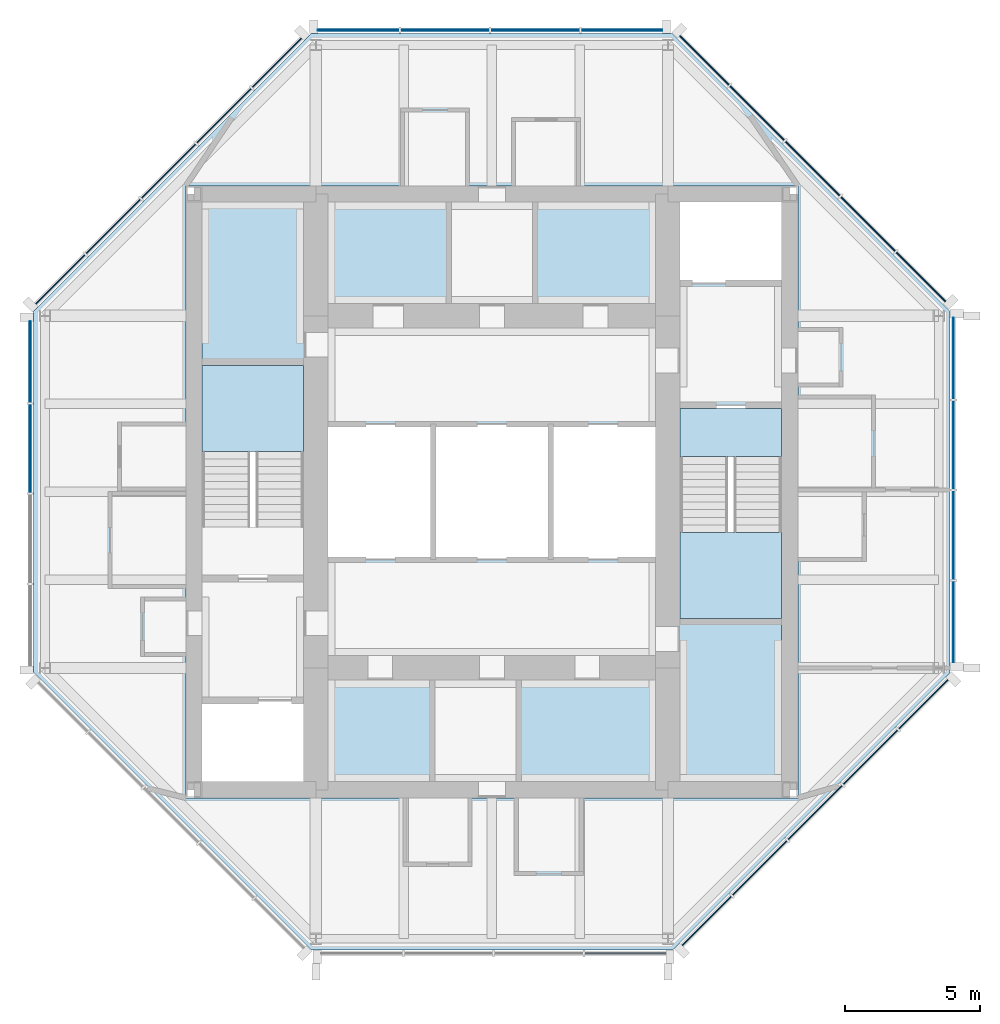
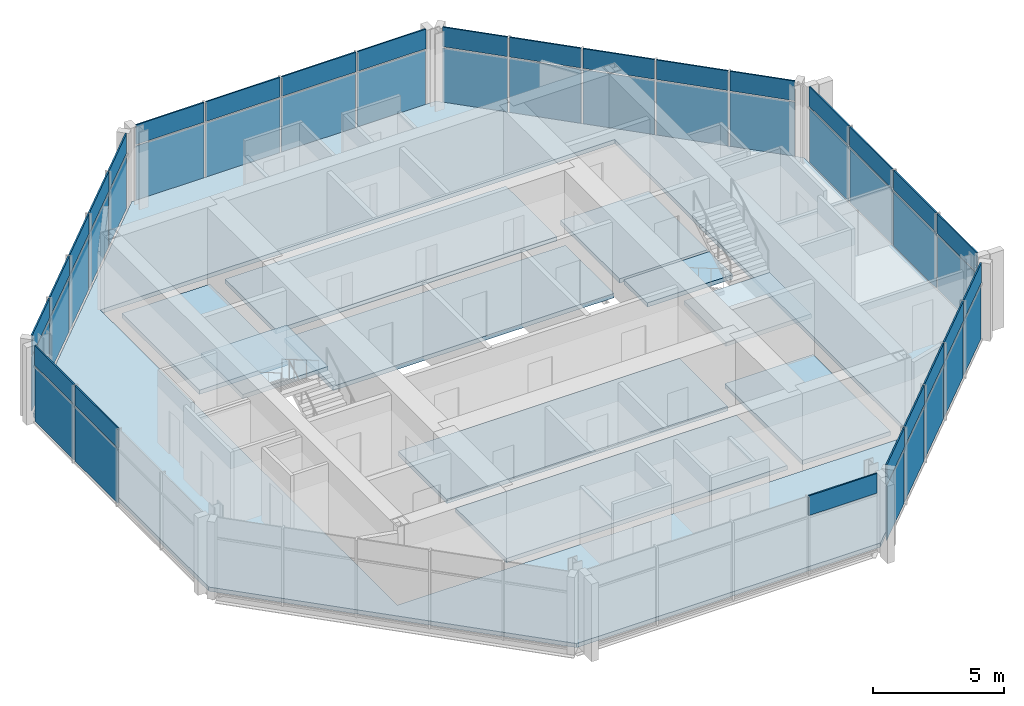
# One storey, part 4 of 8: 51 plates, 11 slabs, 9 elements without a shape of their own.
"""IFC4 building model written with IfcOpenShell, lengths in metres."""

from ifc_helpers import new_model, si_unit, direction, frame, origin, origin_2d, place, context, subcontext, project, spatial, polyline, rectangle, outline, extrude, material, layer, layer_set, type_object, element, aggregate, save


model = new_model("IFC4")

# Units and contexts
model_context = context("Model", 3, precision=1e-05, world=origin(), true_north=direction((0.0, 1.0)))
body_context = subcontext(model_context, "Body", "Model", "MODEL_VIEW")
ifc_project = project(units=[si_unit("LENGTHUNIT", "METRE"), si_unit("AREAUNIT", "SQUARE_METRE"), si_unit("VOLUMEUNIT", "CUBIC_METRE"), si_unit("PLANEANGLEUNIT", "RADIAN"), si_unit("MASSUNIT", "GRAM", prefix="KILO")], contexts=[model_context])

# Site, building, storey
site_placement = place(None, origin())
site = spatial("IfcSite", under=ifc_project, at=site_placement, CompositionType="ELEMENT")
building_placement = place(site_placement, origin())
building = spatial("IfcBuilding", under=site, at=building_placement, Name="Trevanion Tower", CompositionType="ELEMENT")
storey_placement = place(building_placement, frame((0.0, 0.0, 274.0)))
storey = spatial("IfcBuildingStorey", under=building, at=storey_placement, Name="L67", CompositionType="ELEMENT", Elevation=274.0)

# Curtain wall, plates
ifc_material_1 = material(Name="Aluminium and glass", Category="aluminium")
curtain_wall_type = type_object("IfcCurtainWallType", Name="CW4 curtain wall", PredefinedType="USERDEFINED", material=ifc_material_1)
curtain_wall_1_placement = place(storey_placement, origin())
curtain_wall_1 = element("IfcCurtainWall", 1, at=curtain_wall_1_placement, inside=storey, type_object=curtain_wall_type, Name="CW4 L67 0", ObjectType="UNITISED CURTAIN WALL", PredefinedType="USERDEFINED")
ifc_material_2 = material(Name="Aluminium spandrel panel", Category="aluminium")
ifc_layer_1 = layer(ifc_material_2, 0.06005859375)
ifc_layer_set_1 = layer_set([ifc_layer_1], Name="CW4 spandrel panel")
plate_type_1 = type_object("IfcPlateType", Name="CW4 spandrel panel", PredefinedType="CURTAIN_PANEL", material=ifc_layer_set_1)
plate_1_placement = place(storey_placement, frame((17.050048828125, -4.80078125, 2.49755859375), z_axis=(0.0, 0.0, 1.0), x_axis=(0.0, 1.0, 0.0)))
plate_1 = element("IfcPlate", 2, at=plate_1_placement, type_object=plate_type_1, Name="CW4 panel 1.2", PredefinedType="CURTAIN_PANEL", context=body_context, shape_type="SweptSolid", body=[
    extrude(rectangle(XDim=2.993896484375, YDim=0.06005859375, at=origin_2d()), origin(), (0.0, 0.0, 1.0), 0.91259765625),
])
plate_2_placement = place(storey_placement, frame((17.050048828125, -1.6005859375, 2.49755859375), z_axis=(0.0, 0.0, 1.0), x_axis=(0.0, 1.0, 0.0)))
plate_2 = element("IfcPlate", 3, at=plate_2_placement, type_object=plate_type_1, Name="CW4 panel 2.2", PredefinedType="CURTAIN_PANEL", context=body_context, shape_type="SweptSolid", body=[
    extrude(rectangle(XDim=3.25634765625, YDim=0.06005859375, at=origin_2d()), origin(), (0.0, 0.0, 1.0), 0.91259765625),
])
plate_3_placement = place(storey_placement, frame((17.050048828125, 1.730712890625, 2.49755859375), z_axis=(0.0, 0.0, 1.0), x_axis=(0.0, 1.0, 0.0)))
plate_3 = element("IfcPlate", 4, at=plate_3_placement, type_object=plate_type_1, Name="CW4 panel 3.2", PredefinedType="CURTAIN_PANEL", context=body_context, shape_type="SweptSolid", body=[
    extrude(rectangle(XDim=3.25634765625, YDim=0.06005859375, at=origin_2d()), origin(), (0.0, 0.0, 1.0), 0.91259765625),
])
plate_4_placement = place(storey_placement, frame((17.050048828125, 4.930908203125, 2.49755859375), z_axis=(0.0, 0.0, 1.0), x_axis=(0.0, 1.0, 0.0)))
plate_4 = element("IfcPlate", 5, at=plate_4_placement, type_object=plate_type_1, Name="CW4 panel 4.2", PredefinedType="CURTAIN_PANEL", context=body_context, shape_type="SweptSolid", body=[
    extrude(rectangle(XDim=2.993896484375, YDim=0.06005859375, at=origin_2d()), origin(), (0.0, 0.0, 1.0), 0.91259765625),
])

curtain_wall_2_placement = place(storey_placement, origin())
curtain_wall_2 = element("IfcCurtainWall", 6, at=curtain_wall_2_placement, inside=storey, type_object=curtain_wall_type, Name="CW4 L67 1", ObjectType="UNITISED CURTAIN WALL", PredefinedType="USERDEFINED")
plate_5_placement = place(storey_placement, frame((15.84228515625, 7.935546875, 2.49755859375), z_axis=(0.0, 0.0, 1.0), x_axis=(-0.707106781187, 0.707106781187, 0.0)))
plate_5 = element("IfcPlate", 7, at=plate_5_placement, type_object=plate_type_1, Name="CW4 panel 1.2", PredefinedType="CURTAIN_PANEL", context=body_context, shape_type="SweptSolid", body=[
    extrude(rectangle(XDim=2.55615234375, YDim=0.06005859375, at=origin_2d()), origin(), (0.0, 0.0, 1.0), 0.91259765625),
])
plate_6_placement = place(storey_placement, frame((13.888916015625, 9.888916015625, 2.49755859375), z_axis=(0.0, 0.0, 1.0), x_axis=(-0.707106781187, 0.707106781187, 0.0)))
plate_6 = element("IfcPlate", 8, at=plate_6_placement, type_object=plate_type_1, Name="CW4 panel 2.2", PredefinedType="CURTAIN_PANEL", context=body_context, shape_type="SweptSolid", body=[
    extrude(rectangle(XDim=2.818603515625, YDim=0.06005859375, at=origin_2d()), origin(), (0.0, 0.0, 1.0), 0.91259765625),
])
plate_7_placement = place(storey_placement, frame((11.843017578125, 11.934814453125, 2.49755859375), z_axis=(0.0, 0.0, 1.0), x_axis=(-0.707106781187, 0.707106781187, 0.0)))
plate_7 = element("IfcPlate", 9, at=plate_7_placement, type_object=plate_type_1, Name="CW4 panel 3.2", PredefinedType="CURTAIN_PANEL", context=body_context, shape_type="SweptSolid", body=[
    extrude(rectangle(XDim=2.818603515625, YDim=0.06005859375, at=origin_2d()), origin(), (0.0, 0.0, 1.0), 0.91259765625),
])
plate_8_placement = place(storey_placement, frame((9.796875, 13.98095703125, 2.49755859375), z_axis=(0.0, 0.0, 1.0), x_axis=(-0.707106781187, 0.707106781187, 0.0)))
plate_8 = element("IfcPlate", 10, at=plate_8_placement, type_object=plate_type_1, Name="CW4 panel 4.2", PredefinedType="CURTAIN_PANEL", context=body_context, shape_type="SweptSolid", body=[
    extrude(rectangle(XDim=2.818603515625, YDim=0.06005859375, at=origin_2d()), origin(), (0.0, 0.0, 1.0), 0.91259765625),
])
plate_9_placement = place(storey_placement, frame((7.84375, 15.93408203125, 2.49755859375), z_axis=(0.0, 0.0, 1.0), x_axis=(-0.707106781187, 0.707106781187, 0.0)))
plate_9 = element("IfcPlate", 11, at=plate_9_placement, type_object=plate_type_1, Name="CW4 panel 5.2", PredefinedType="CURTAIN_PANEL", context=body_context, shape_type="SweptSolid", body=[
    extrude(rectangle(XDim=2.55615234375, YDim=0.06005859375, at=origin_2d()), origin(), (0.0, 0.0, 1.0), 0.91259765625),
])

curtain_wall_3_placement = place(storey_placement, origin())
curtain_wall_3 = element("IfcCurtainWall", 12, at=curtain_wall_3_placement, inside=storey, type_object=curtain_wall_type, Name="CW4 L67 2", ObjectType="UNITISED CURTAIN WALL", PredefinedType="USERDEFINED")
plate_10_placement = place(storey_placement, frame((4.80078125, 17.050048828125, 2.49755859375), z_axis=(0.0, 0.0, 1.0), x_axis=(-1.0, 0.0, 0.0)))
plate_10 = element("IfcPlate", 13, at=plate_10_placement, type_object=plate_type_1, Name="CW4 panel 1.2", PredefinedType="CURTAIN_PANEL", context=body_context, shape_type="SweptSolid", body=[
    extrude(rectangle(XDim=2.993896484375, YDim=0.06005859375, at=origin_2d()), origin(), (0.0, 0.0, 1.0), 0.91259765625),
])
plate_11_placement = place(storey_placement, frame((1.6005859375, 17.050048828125, 2.49755859375), z_axis=(0.0, 0.0, 1.0), x_axis=(-1.0, 0.0, 0.0)))
plate_11 = element("IfcPlate", 14, at=plate_11_placement, type_object=plate_type_1, Name="CW4 panel 2.2", PredefinedType="CURTAIN_PANEL", context=body_context, shape_type="SweptSolid", body=[
    extrude(rectangle(XDim=3.25634765625, YDim=0.06005859375, at=origin_2d()), origin(), (0.0, 0.0, 1.0), 0.91259765625),
])
plate_12_placement = place(storey_placement, frame((-1.730712890625, 17.050048828125, 2.49755859375), z_axis=(0.0, 0.0, 1.0), x_axis=(-1.0, 0.0, 0.0)))
plate_12 = element("IfcPlate", 15, at=plate_12_placement, type_object=plate_type_1, Name="CW4 panel 3.2", PredefinedType="CURTAIN_PANEL", context=body_context, shape_type="SweptSolid", body=[
    extrude(rectangle(XDim=3.25634765625, YDim=0.06005859375, at=origin_2d()), origin(), (0.0, 0.0, 1.0), 0.91259765625),
])
plate_13_placement = place(storey_placement, frame((-4.930908203125, 17.050048828125, 2.49755859375), z_axis=(0.0, 0.0, 1.0), x_axis=(-1.0, 0.0, 0.0)))
plate_13 = element("IfcPlate", 16, at=plate_13_placement, type_object=plate_type_1, Name="CW4 panel 4.2", PredefinedType="CURTAIN_PANEL", context=body_context, shape_type="SweptSolid", body=[
    extrude(rectangle(XDim=2.993896484375, YDim=0.06005859375, at=origin_2d()), origin(), (0.0, 0.0, 1.0), 0.91259765625),
])

curtain_wall_4_placement = place(storey_placement, origin())
curtain_wall_4 = element("IfcCurtainWall", 17, at=curtain_wall_4_placement, inside=storey, type_object=curtain_wall_type, Name="CW4 L67 3", ObjectType="UNITISED CURTAIN WALL", PredefinedType="USERDEFINED")
plate_14_placement = place(storey_placement, frame((-7.935546875, 15.84228515625, 2.49755859375), z_axis=(0.0, 0.0, 1.0), x_axis=(-0.707106781187, -0.707106781187, 0.0)))
plate_14 = element("IfcPlate", 18, at=plate_14_placement, type_object=plate_type_1, Name="CW4 panel 1.2", PredefinedType="CURTAIN_PANEL", context=body_context, shape_type="SweptSolid", body=[
    extrude(rectangle(XDim=2.55615234375, YDim=0.06005859375, at=origin_2d()), origin(), (0.0, 0.0, 1.0), 0.91259765625),
])
plate_15_placement = place(storey_placement, frame((-9.888916015625, 13.888916015625, 2.49755859375), z_axis=(0.0, 0.0, 1.0), x_axis=(-0.707106781187, -0.707106781187, 0.0)))
plate_15 = element("IfcPlate", 19, at=plate_15_placement, type_object=plate_type_1, Name="CW4 panel 2.2", PredefinedType="CURTAIN_PANEL", context=body_context, shape_type="SweptSolid", body=[
    extrude(rectangle(XDim=2.818603515625, YDim=0.06005859375, at=origin_2d()), origin(), (0.0, 0.0, 1.0), 0.91259765625),
])
plate_16_placement = place(storey_placement, frame((-11.934814453125, 11.843017578125, 2.49755859375), z_axis=(0.0, 0.0, 1.0), x_axis=(-0.707106781187, -0.707106781187, 0.0)))
plate_16 = element("IfcPlate", 20, at=plate_16_placement, type_object=plate_type_1, Name="CW4 panel 3.2", PredefinedType="CURTAIN_PANEL", context=body_context, shape_type="SweptSolid", body=[
    extrude(rectangle(XDim=2.818603515625, YDim=0.06005859375, at=origin_2d()), origin(), (0.0, 0.0, 1.0), 0.91259765625),
])
plate_17_placement = place(storey_placement, frame((-13.98095703125, 9.796875, 2.49755859375), z_axis=(0.0, 0.0, 1.0), x_axis=(-0.707106781187, -0.707106781187, 0.0)))
plate_17 = element("IfcPlate", 21, at=plate_17_placement, type_object=plate_type_1, Name="CW4 panel 4.2", PredefinedType="CURTAIN_PANEL", context=body_context, shape_type="SweptSolid", body=[
    extrude(rectangle(XDim=2.818603515625, YDim=0.06005859375, at=origin_2d()), origin(), (0.0, 0.0, 1.0), 0.91259765625),
])
plate_18_placement = place(storey_placement, frame((-15.93408203125, 7.84375, 2.49755859375), z_axis=(0.0, 0.0, 1.0), x_axis=(-0.707106781187, -0.707106781187, 0.0)))
plate_18 = element("IfcPlate", 22, at=plate_18_placement, type_object=plate_type_1, Name="CW4 panel 5.2", PredefinedType="CURTAIN_PANEL", context=body_context, shape_type="SweptSolid", body=[
    extrude(rectangle(XDim=2.55615234375, YDim=0.06005859375, at=origin_2d()), origin(), (0.0, 0.0, 1.0), 0.91259765625),
])

curtain_wall_5_placement = place(storey_placement, origin())
curtain_wall_5 = element("IfcCurtainWall", 23, at=curtain_wall_5_placement, inside=storey, type_object=curtain_wall_type, Name="CW4 L67 4", ObjectType="UNITISED CURTAIN WALL", PredefinedType="USERDEFINED")
plate_19_placement = place(storey_placement, frame((-17.050048828125, 4.80078125, 2.49755859375), z_axis=(0.0, 0.0, 1.0), x_axis=(0.0, -1.0, 0.0)))
plate_19 = element("IfcPlate", 24, at=plate_19_placement, type_object=plate_type_1, Name="CW4 panel 1.2", PredefinedType="CURTAIN_PANEL", context=body_context, shape_type="SweptSolid", body=[
    extrude(rectangle(XDim=2.993896484375, YDim=0.06005859375, at=origin_2d()), origin(), (0.0, 0.0, 1.0), 0.91259765625),
])
plate_20_placement = place(storey_placement, frame((-17.050048828125, 1.6005859375, 2.49755859375), z_axis=(0.0, 0.0, 1.0), x_axis=(0.0, -1.0, 0.0)))
plate_20 = element("IfcPlate", 25, at=plate_20_placement, type_object=plate_type_1, Name="CW4 panel 2.2", PredefinedType="CURTAIN_PANEL", context=body_context, shape_type="SweptSolid", body=[
    extrude(rectangle(XDim=3.25634765625, YDim=0.06005859375, at=origin_2d()), origin(), (0.0, 0.0, 1.0), 0.91259765625),
])

# Curtain wall, plate
curtain_wall_6_placement = place(storey_placement, origin())
curtain_wall_6 = element("IfcCurtainWall", 26, at=curtain_wall_6_placement, inside=storey, type_object=curtain_wall_type, Name="CW4 L67 6", ObjectType="UNITISED CURTAIN WALL", PredefinedType="USERDEFINED")
plate_21_placement = place(storey_placement, frame((4.930908203125, -17.050048828125, 2.49755859375), z_axis=(0.0, 0.0, 1.0), x_axis=(1.0, 0.0, 0.0)))
plate_21 = element("IfcPlate", 27, at=plate_21_placement, type_object=plate_type_1, Name="CW4 panel 4.2", PredefinedType="CURTAIN_PANEL", context=body_context, shape_type="SweptSolid", body=[
    extrude(rectangle(XDim=2.993896484375, YDim=0.06005859375, at=origin_2d()), origin(), (0.0, 0.0, 1.0), 0.91259765625),
])
aggregate(curtain_wall_6, [plate_21])

# Curtain wall, plates
curtain_wall_7_placement = place(storey_placement, origin())
curtain_wall_7 = element("IfcCurtainWall", 28, at=curtain_wall_7_placement, inside=storey, type_object=curtain_wall_type, Name="CW4 L67 7", ObjectType="UNITISED CURTAIN WALL", PredefinedType="USERDEFINED")
plate_22_placement = place(storey_placement, frame((7.935546875, -15.84228515625, 2.49755859375), z_axis=(0.0, 0.0, 1.0), x_axis=(0.707106781187, 0.707106781187, 0.0)))
plate_22 = element("IfcPlate", 29, at=plate_22_placement, type_object=plate_type_1, Name="CW4 panel 1.2", PredefinedType="CURTAIN_PANEL", context=body_context, shape_type="SweptSolid", body=[
    extrude(rectangle(XDim=2.55615234375, YDim=0.06005859375, at=origin_2d()), origin(), (0.0, 0.0, 1.0), 0.91259765625),
])
plate_23_placement = place(storey_placement, frame((9.888916015625, -13.888916015625, 2.49755859375), z_axis=(0.0, 0.0, 1.0), x_axis=(0.707106781187, 0.707106781187, 0.0)))
plate_23 = element("IfcPlate", 30, at=plate_23_placement, type_object=plate_type_1, Name="CW4 panel 2.2", PredefinedType="CURTAIN_PANEL", context=body_context, shape_type="SweptSolid", body=[
    extrude(rectangle(XDim=2.818603515625, YDim=0.06005859375, at=origin_2d()), origin(), (0.0, 0.0, 1.0), 0.91259765625),
])
plate_24_placement = place(storey_placement, frame((11.934814453125, -11.843017578125, 2.49755859375), z_axis=(0.0, 0.0, 1.0), x_axis=(0.707106781187, 0.707106781187, 0.0)))
plate_24 = element("IfcPlate", 31, at=plate_24_placement, type_object=plate_type_1, Name="CW4 panel 3.2", PredefinedType="CURTAIN_PANEL", context=body_context, shape_type="SweptSolid", body=[
    extrude(rectangle(XDim=2.818603515625, YDim=0.06005859375, at=origin_2d()), origin(), (0.0, 0.0, 1.0), 0.91259765625),
])
plate_25_placement = place(storey_placement, frame((13.98095703125, -9.796875, 2.49755859375), z_axis=(0.0, 0.0, 1.0), x_axis=(0.707106781187, 0.707106781187, 0.0)))
plate_25 = element("IfcPlate", 32, at=plate_25_placement, type_object=plate_type_1, Name="CW4 panel 4.2", PredefinedType="CURTAIN_PANEL", context=body_context, shape_type="SweptSolid", body=[
    extrude(rectangle(XDim=2.818603515625, YDim=0.06005859375, at=origin_2d()), origin(), (0.0, 0.0, 1.0), 0.91259765625),
])
plate_26_placement = place(storey_placement, frame((15.93408203125, -7.84375, 2.49755859375), z_axis=(0.0, 0.0, 1.0), x_axis=(0.707106781187, 0.707106781187, 0.0)))
plate_26 = element("IfcPlate", 33, at=plate_26_placement, type_object=plate_type_1, Name="CW4 panel 5.2", PredefinedType="CURTAIN_PANEL", context=body_context, shape_type="SweptSolid", body=[
    extrude(rectangle(XDim=2.55615234375, YDim=0.06005859375, at=origin_2d()), origin(), (0.0, 0.0, 1.0), 0.91259765625),
])

# Plate
ifc_material_3 = material(Name="Insulating glass unit", Category="glass")
ifc_layer_2 = layer(ifc_material_3, 0.028076171875)
ifc_layer_set_2 = layer_set([ifc_layer_2], Name="CW4 vision panel")
plate_type_2 = type_object("IfcPlateType", Name="CW4 vision panel", PredefinedType="CURTAIN_PANEL", material=ifc_layer_set_2)
plate_27_placement = place(storey_placement, frame((17.050048828125, -4.80078125, -0.114990234375), z_axis=(0.0, 0.0, 1.0), x_axis=(0.0, 1.0, 0.0)))
plate_27 = element("IfcPlate", 34, at=plate_27_placement, type_object=plate_type_2, Name="CW4 panel 1.1", PredefinedType="CURTAIN_PANEL", context=body_context, shape_type="SweptSolid", body=[
    extrude(rectangle(XDim=2.993896484375, YDim=0.028076171875, at=origin_2d()), origin(), (0.0, 0.0, 1.0), 2.53759765625),
])

plate_28_placement = place(storey_placement, frame((17.050048828125, -1.6005859375, -0.114990234375), z_axis=(0.0, 0.0, 1.0), x_axis=(0.0, 1.0, 0.0)))
plate_28 = element("IfcPlate", 35, at=plate_28_placement, type_object=plate_type_2, Name="CW4 panel 2.1", PredefinedType="CURTAIN_PANEL", context=body_context, shape_type="SweptSolid", body=[
    extrude(rectangle(XDim=3.25634765625, YDim=0.028076171875, at=origin_2d()), origin(), (0.0, 0.0, 1.0), 2.53759765625),
])

plate_29_placement = place(storey_placement, frame((17.050048828125, 1.730712890625, -0.114990234375), z_axis=(0.0, 0.0, 1.0), x_axis=(0.0, 1.0, 0.0)))
plate_29 = element("IfcPlate", 36, at=plate_29_placement, type_object=plate_type_2, Name="CW4 panel 3.1", PredefinedType="CURTAIN_PANEL", context=body_context, shape_type="SweptSolid", body=[
    extrude(rectangle(XDim=3.25634765625, YDim=0.028076171875, at=origin_2d()), origin(), (0.0, 0.0, 1.0), 2.53759765625),
])

plate_30_placement = place(storey_placement, frame((17.050048828125, 4.930908203125, -0.114990234375), z_axis=(0.0, 0.0, 1.0), x_axis=(0.0, 1.0, 0.0)))
plate_30 = element("IfcPlate", 37, at=plate_30_placement, type_object=plate_type_2, Name="CW4 panel 4.1", PredefinedType="CURTAIN_PANEL", context=body_context, shape_type="SweptSolid", body=[
    extrude(rectangle(XDim=2.993896484375, YDim=0.028076171875, at=origin_2d()), origin(), (0.0, 0.0, 1.0), 2.53759765625),
])

aggregate(curtain_wall_1, [plate_27, plate_1, plate_28, plate_2, plate_29, plate_3, plate_30, plate_4])

plate_31_placement = place(storey_placement, frame((15.84228515625, 7.935546875, -0.114990234375), z_axis=(0.0, 0.0, 1.0), x_axis=(-0.707106781187, 0.707106781187, 0.0)))
plate_31 = element("IfcPlate", 38, at=plate_31_placement, type_object=plate_type_2, Name="CW4 panel 1.1", PredefinedType="CURTAIN_PANEL", context=body_context, shape_type="SweptSolid", body=[
    extrude(rectangle(XDim=2.55615234375, YDim=0.028076171875, at=origin_2d()), origin(), (0.0, 0.0, 1.0), 2.53759765625),
])

plate_32_placement = place(storey_placement, frame((13.888916015625, 9.888916015625, -0.114990234375), z_axis=(0.0, 0.0, 1.0), x_axis=(-0.707106781187, 0.707106781187, 0.0)))
plate_32 = element("IfcPlate", 39, at=plate_32_placement, type_object=plate_type_2, Name="CW4 panel 2.1", PredefinedType="CURTAIN_PANEL", context=body_context, shape_type="SweptSolid", body=[
    extrude(rectangle(XDim=2.818603515625, YDim=0.028076171875, at=origin_2d()), origin(), (0.0, 0.0, 1.0), 2.53759765625),
])

plate_33_placement = place(storey_placement, frame((11.843017578125, 11.934814453125, -0.114990234375), z_axis=(0.0, 0.0, 1.0), x_axis=(-0.707106781187, 0.707106781187, 0.0)))
plate_33 = element("IfcPlate", 40, at=plate_33_placement, type_object=plate_type_2, Name="CW4 panel 3.1", PredefinedType="CURTAIN_PANEL", context=body_context, shape_type="SweptSolid", body=[
    extrude(rectangle(XDim=2.818603515625, YDim=0.028076171875, at=origin_2d()), origin(), (0.0, 0.0, 1.0), 2.53759765625),
])

plate_34_placement = place(storey_placement, frame((9.796875, 13.98095703125, -0.114990234375), z_axis=(0.0, 0.0, 1.0), x_axis=(-0.707106781187, 0.707106781187, 0.0)))
plate_34 = element("IfcPlate", 41, at=plate_34_placement, type_object=plate_type_2, Name="CW4 panel 4.1", PredefinedType="CURTAIN_PANEL", context=body_context, shape_type="SweptSolid", body=[
    extrude(rectangle(XDim=2.818603515625, YDim=0.028076171875, at=origin_2d()), origin(), (0.0, 0.0, 1.0), 2.53759765625),
])

plate_35_placement = place(storey_placement, frame((7.84375, 15.93408203125, -0.114990234375), z_axis=(0.0, 0.0, 1.0), x_axis=(-0.707106781187, 0.707106781187, 0.0)))
plate_35 = element("IfcPlate", 42, at=plate_35_placement, type_object=plate_type_2, Name="CW4 panel 5.1", PredefinedType="CURTAIN_PANEL", context=body_context, shape_type="SweptSolid", body=[
    extrude(rectangle(XDim=2.55615234375, YDim=0.028076171875, at=origin_2d()), origin(), (0.0, 0.0, 1.0), 2.53759765625),
])

aggregate(curtain_wall_2, [plate_31, plate_5, plate_32, plate_6, plate_33, plate_7, plate_34, plate_8, plate_35, plate_9])

plate_36_placement = place(storey_placement, frame((4.80078125, 17.050048828125, -0.114990234375), z_axis=(0.0, 0.0, 1.0), x_axis=(-1.0, 0.0, 0.0)))
plate_36 = element("IfcPlate", 43, at=plate_36_placement, type_object=plate_type_2, Name="CW4 panel 1.1", PredefinedType="CURTAIN_PANEL", context=body_context, shape_type="SweptSolid", body=[
    extrude(rectangle(XDim=2.993896484375, YDim=0.028076171875, at=origin_2d()), origin(), (0.0, 0.0, 1.0), 2.53759765625),
])

plate_37_placement = place(storey_placement, frame((1.6005859375, 17.050048828125, -0.114990234375), z_axis=(0.0, 0.0, 1.0), x_axis=(-1.0, 0.0, 0.0)))
plate_37 = element("IfcPlate", 44, at=plate_37_placement, type_object=plate_type_2, Name="CW4 panel 2.1", PredefinedType="CURTAIN_PANEL", context=body_context, shape_type="SweptSolid", body=[
    extrude(rectangle(XDim=3.25634765625, YDim=0.028076171875, at=origin_2d()), origin(), (0.0, 0.0, 1.0), 2.53759765625),
])

plate_38_placement = place(storey_placement, frame((-1.730712890625, 17.050048828125, -0.114990234375), z_axis=(0.0, 0.0, 1.0), x_axis=(-1.0, 0.0, 0.0)))
plate_38 = element("IfcPlate", 45, at=plate_38_placement, type_object=plate_type_2, Name="CW4 panel 3.1", PredefinedType="CURTAIN_PANEL", context=body_context, shape_type="SweptSolid", body=[
    extrude(rectangle(XDim=3.25634765625, YDim=0.028076171875, at=origin_2d()), origin(), (0.0, 0.0, 1.0), 2.53759765625),
])

plate_39_placement = place(storey_placement, frame((-4.930908203125, 17.050048828125, -0.114990234375), z_axis=(0.0, 0.0, 1.0), x_axis=(-1.0, 0.0, 0.0)))
plate_39 = element("IfcPlate", 46, at=plate_39_placement, type_object=plate_type_2, Name="CW4 panel 4.1", PredefinedType="CURTAIN_PANEL", context=body_context, shape_type="SweptSolid", body=[
    extrude(rectangle(XDim=2.993896484375, YDim=0.028076171875, at=origin_2d()), origin(), (0.0, 0.0, 1.0), 2.53759765625),
])

aggregate(curtain_wall_3, [plate_36, plate_10, plate_37, plate_11, plate_38, plate_12, plate_39, plate_13])

plate_40_placement = place(storey_placement, frame((-7.935546875, 15.84228515625, -0.114990234375), z_axis=(0.0, 0.0, 1.0), x_axis=(-0.707106781187, -0.707106781187, 0.0)))
plate_40 = element("IfcPlate", 47, at=plate_40_placement, type_object=plate_type_2, Name="CW4 panel 1.1", PredefinedType="CURTAIN_PANEL", context=body_context, shape_type="SweptSolid", body=[
    extrude(rectangle(XDim=2.55615234375, YDim=0.028076171875, at=origin_2d()), origin(), (0.0, 0.0, 1.0), 2.53759765625),
])

plate_41_placement = place(storey_placement, frame((-9.888916015625, 13.888916015625, -0.114990234375), z_axis=(0.0, 0.0, 1.0), x_axis=(-0.707106781187, -0.707106781187, 0.0)))
plate_41 = element("IfcPlate", 48, at=plate_41_placement, type_object=plate_type_2, Name="CW4 panel 2.1", PredefinedType="CURTAIN_PANEL", context=body_context, shape_type="SweptSolid", body=[
    extrude(rectangle(XDim=2.818603515625, YDim=0.028076171875, at=origin_2d()), origin(), (0.0, 0.0, 1.0), 2.53759765625),
])

plate_42_placement = place(storey_placement, frame((-11.934814453125, 11.843017578125, -0.114990234375), z_axis=(0.0, 0.0, 1.0), x_axis=(-0.707106781187, -0.707106781187, 0.0)))
plate_42 = element("IfcPlate", 49, at=plate_42_placement, type_object=plate_type_2, Name="CW4 panel 3.1", PredefinedType="CURTAIN_PANEL", context=body_context, shape_type="SweptSolid", body=[
    extrude(rectangle(XDim=2.818603515625, YDim=0.028076171875, at=origin_2d()), origin(), (0.0, 0.0, 1.0), 2.53759765625),
])

plate_43_placement = place(storey_placement, frame((-13.98095703125, 9.796875, -0.114990234375), z_axis=(0.0, 0.0, 1.0), x_axis=(-0.707106781187, -0.707106781187, 0.0)))
plate_43 = element("IfcPlate", 50, at=plate_43_placement, type_object=plate_type_2, Name="CW4 panel 4.1", PredefinedType="CURTAIN_PANEL", context=body_context, shape_type="SweptSolid", body=[
    extrude(rectangle(XDim=2.818603515625, YDim=0.028076171875, at=origin_2d()), origin(), (0.0, 0.0, 1.0), 2.53759765625),
])

plate_44_placement = place(storey_placement, frame((-15.93408203125, 7.84375, -0.114990234375), z_axis=(0.0, 0.0, 1.0), x_axis=(-0.707106781187, -0.707106781187, 0.0)))
plate_44 = element("IfcPlate", 51, at=plate_44_placement, type_object=plate_type_2, Name="CW4 panel 5.1", PredefinedType="CURTAIN_PANEL", context=body_context, shape_type="SweptSolid", body=[
    extrude(rectangle(XDim=2.55615234375, YDim=0.028076171875, at=origin_2d()), origin(), (0.0, 0.0, 1.0), 2.53759765625),
])

aggregate(curtain_wall_4, [plate_40, plate_14, plate_41, plate_15, plate_42, plate_16, plate_43, plate_17, plate_44, plate_18])

plate_45_placement = place(storey_placement, frame((-17.050048828125, 4.80078125, -0.114990234375), z_axis=(0.0, 0.0, 1.0), x_axis=(0.0, -1.0, 0.0)))
plate_45 = element("IfcPlate", 52, at=plate_45_placement, type_object=plate_type_2, Name="CW4 panel 1.1", PredefinedType="CURTAIN_PANEL", context=body_context, shape_type="SweptSolid", body=[
    extrude(rectangle(XDim=2.993896484375, YDim=0.028076171875, at=origin_2d()), origin(), (0.0, 0.0, 1.0), 2.53759765625),
])

plate_46_placement = place(storey_placement, frame((-17.050048828125, 1.6005859375, -0.114990234375), z_axis=(0.0, 0.0, 1.0), x_axis=(0.0, -1.0, 0.0)))
plate_46 = element("IfcPlate", 53, at=plate_46_placement, type_object=plate_type_2, Name="CW4 panel 2.1", PredefinedType="CURTAIN_PANEL", context=body_context, shape_type="SweptSolid", body=[
    extrude(rectangle(XDim=3.25634765625, YDim=0.028076171875, at=origin_2d()), origin(), (0.0, 0.0, 1.0), 2.53759765625),
])

aggregate(curtain_wall_5, [plate_45, plate_19, plate_46, plate_20])

plate_47_placement = place(storey_placement, frame((7.935546875, -15.84228515625, -0.114990234375), z_axis=(0.0, 0.0, 1.0), x_axis=(0.707106781187, 0.707106781187, 0.0)))
plate_47 = element("IfcPlate", 54, at=plate_47_placement, type_object=plate_type_2, Name="CW4 panel 1.1", PredefinedType="CURTAIN_PANEL", context=body_context, shape_type="SweptSolid", body=[
    extrude(rectangle(XDim=2.55615234375, YDim=0.028076171875, at=origin_2d()), origin(), (0.0, 0.0, 1.0), 2.53759765625),
])

plate_48_placement = place(storey_placement, frame((9.888916015625, -13.888916015625, -0.114990234375), z_axis=(0.0, 0.0, 1.0), x_axis=(0.707106781187, 0.707106781187, 0.0)))
plate_48 = element("IfcPlate", 55, at=plate_48_placement, type_object=plate_type_2, Name="CW4 panel 2.1", PredefinedType="CURTAIN_PANEL", context=body_context, shape_type="SweptSolid", body=[
    extrude(rectangle(XDim=2.818603515625, YDim=0.028076171875, at=origin_2d()), origin(), (0.0, 0.0, 1.0), 2.53759765625),
])

plate_49_placement = place(storey_placement, frame((11.934814453125, -11.843017578125, -0.114990234375), z_axis=(0.0, 0.0, 1.0), x_axis=(0.707106781187, 0.707106781187, 0.0)))
plate_49 = element("IfcPlate", 56, at=plate_49_placement, type_object=plate_type_2, Name="CW4 panel 3.1", PredefinedType="CURTAIN_PANEL", context=body_context, shape_type="SweptSolid", body=[
    extrude(rectangle(XDim=2.818603515625, YDim=0.028076171875, at=origin_2d()), origin(), (0.0, 0.0, 1.0), 2.53759765625),
])

plate_50_placement = place(storey_placement, frame((13.98095703125, -9.796875, -0.114990234375), z_axis=(0.0, 0.0, 1.0), x_axis=(0.707106781187, 0.707106781187, 0.0)))
plate_50 = element("IfcPlate", 57, at=plate_50_placement, type_object=plate_type_2, Name="CW4 panel 4.1", PredefinedType="CURTAIN_PANEL", context=body_context, shape_type="SweptSolid", body=[
    extrude(rectangle(XDim=2.818603515625, YDim=0.028076171875, at=origin_2d()), origin(), (0.0, 0.0, 1.0), 2.53759765625),
])

plate_51_placement = place(storey_placement, frame((15.93408203125, -7.84375, -0.114990234375), z_axis=(0.0, 0.0, 1.0), x_axis=(0.707106781187, 0.707106781187, 0.0)))
plate_51 = element("IfcPlate", 58, at=plate_51_placement, type_object=plate_type_2, Name="CW4 panel 5.1", PredefinedType="CURTAIN_PANEL", context=body_context, shape_type="SweptSolid", body=[
    extrude(rectangle(XDim=2.55615234375, YDim=0.028076171875, at=origin_2d()), origin(), (0.0, 0.0, 1.0), 2.53759765625),
])

aggregate(curtain_wall_7, [plate_47, plate_22, plate_48, plate_23, plate_49, plate_24, plate_50, plate_25, plate_51, plate_26])

# Slabs
ifc_material_4 = material(Name="Concrete 5,000 psi on composite metal deck", Category="concrete")
ifc_layer_3 = layer(ifc_material_4, 0.18994140625)
ifc_layer_set_3 = layer_set([ifc_layer_3], Name="SL1 composite floor 190")
slab_type_1 = type_object("IfcSlabType", Name="SL1 composite floor 190", PredefinedType="FLOOR", material=ifc_layer_set_3)
slab_1_placement = place(storey_placement, frame((0.0, 0.0, -0.18994140625)))
element("IfcSlab", 59, at=slab_1_placement, inside=storey, type_object=slab_type_1, Name="SL1 L67 floor", PredefinedType="FLOOR", context=body_context, shape_type="SweptSolid", body=[
    extrude(outline(polyline([(16.919921875, -6.674072265625), (16.919921875, 6.674072265625), (6.674072265625, 16.919921875), (-6.674072265625, 16.919921875), (-16.919921875, 6.674072265625), (-16.919921875, -6.674072265625), (-6.674072265625, -16.919921875), (6.674072265625, -16.919921875), (16.919921875, -6.674072265625)]), holes=[polyline([(11.300048828125, -11.300048828125), (11.300048828125, 11.300048828125), (-11.300048828125, 11.300048828125), (-11.300048828125, -11.300048828125), (11.300048828125, -11.300048828125)])]), origin(), (0.0, 0.0, 1.0), 0.18994140625),
])
ifc_material_5 = material(Name="Concrete 5,000 psi", Category="concrete")
ifc_layer_4 = layer(ifc_material_5, 0.199951171875)
ifc_layer_set_4 = layer_set([ifc_layer_4], Name="SL2 core floor 200")
slab_type_2 = type_object("IfcSlabType", Name="SL2 core floor 200", PredefinedType="FLOOR", material=ifc_layer_set_4)
slab_2_placement = place(storey_placement, frame((0.0, 0.0, -0.199951171875)))
element("IfcSlab", 60, at=slab_2_placement, inside=storey, type_object=slab_type_2, Name="SL2 L67 core floor 1", PredefinedType="FLOOR", context=body_context, shape_type="SweptSolid", body=[
    extrude(outline(polyline([(6.169921875, -10.699951171875), (-6.169921875, -10.699951171875), (-6.169921875, -6.830078125), (6.169921875, -6.830078125), (6.169921875, -10.699951171875)])), origin(), (0.0, 0.0, 1.0), 0.199951171875),
])
slab_3_placement = place(storey_placement, frame((0.0, 0.0, -0.199951171875)))
element("IfcSlab", 61, at=slab_3_placement, inside=storey, type_object=slab_type_2, Name="SL2 L67 core floor 2", PredefinedType="FLOOR", context=body_context, shape_type="SweptSolid", body=[
    extrude(outline(polyline([(6.830078125, -4.804931640625), (10.699951171875, -4.804931640625), (10.699951171875, -10.699951171875), (6.830078125, -10.699951171875), (6.830078125, -4.804931640625)])), origin(), (0.0, 0.0, 1.0), 0.199951171875),
])
slab_4_placement = place(storey_placement, frame((0.0, 0.0, -0.199951171875)))
element("IfcSlab", 62, at=slab_4_placement, inside=storey, type_object=slab_type_2, Name="SL2 L67 core floor 4", PredefinedType="FLOOR", context=body_context, shape_type="SweptSolid", body=[
    extrude(outline(polyline([(6.169921875, -6.169921875), (-6.169921875, -6.169921875), (-6.169921875, -2.47998046875), (6.169921875, -2.47998046875), (6.169921875, -6.169921875)])), origin(), (0.0, 0.0, 1.0), 0.199951171875),
])
slab_5_placement = place(storey_placement, frame((0.0, 0.0, -0.199951171875)))
element("IfcSlab", 63, at=slab_5_placement, inside=storey, type_object=slab_type_2, Name="SL2 L67 core floor 5", PredefinedType="FLOOR", context=body_context, shape_type="SweptSolid", body=[
    extrude(outline(polyline([(6.169921875, 2.47998046875), (-6.169921875, 2.47998046875), (-6.169921875, 6.169921875), (6.169921875, 6.169921875), (6.169921875, 2.47998046875)])), origin(), (0.0, 0.0, 1.0), 0.199951171875),
])
slab_6_placement = place(storey_placement, frame((0.0, 0.0, -0.199951171875)))
element("IfcSlab", 64, at=slab_6_placement, inside=storey, type_object=slab_type_2, Name="SL2 L67 core floor 6", PredefinedType="FLOOR", context=body_context, shape_type="SweptSolid", body=[
    extrude(outline(polyline([(6.830078125, 3.205078125), (6.830078125, 7.695068359375), (10.699951171875, 7.695068359375), (10.699951171875, 3.205078125), (6.830078125, 3.205078125)])), origin(), (0.0, 0.0, 1.0), 0.199951171875),
])
slab_7_placement = place(storey_placement, frame((0.0, 0.0, -0.199951171875)))
element("IfcSlab", 65, at=slab_7_placement, inside=storey, type_object=slab_type_2, Name="SL2 L67 core floor 7", PredefinedType="FLOOR", context=body_context, shape_type="SweptSolid", body=[
    extrude(outline(polyline([(-6.830078125, 4.804931640625), (-10.699951171875, 4.804931640625), (-10.699951171875, 10.699951171875), (-6.830078125, 10.699951171875), (-6.830078125, 4.804931640625)])), origin(), (0.0, 0.0, 1.0), 0.199951171875),
])
slab_8_placement = place(storey_placement, frame((0.0, 0.0, -0.199951171875)))
element("IfcSlab", 66, at=slab_8_placement, inside=storey, type_object=slab_type_2, Name="SL2 L67 core floor 8", PredefinedType="FLOOR", context=body_context, shape_type="SweptSolid", body=[
    extrude(outline(polyline([(6.169921875, 6.830078125), (-6.169921875, 6.830078125), (-6.169921875, 10.699951171875), (6.169921875, 10.699951171875), (6.169921875, 6.830078125)])), origin(), (0.0, 0.0, 1.0), 0.199951171875),
])

# Stair, slabs
ifc_material_6 = material(Name="Concrete 5,000 psi on steel stringers", Category="concrete")
stair_type = type_object("IfcStairType", Name="ST stair", PredefinedType="HALF_TURN_STAIR", material=ifc_material_6)
stair_1_placement = place(storey_placement, origin())
stair_1 = element("IfcStair", 67, at=stair_1_placement, inside=storey, type_object=stair_type, Name="ST1 L67", PredefinedType="HALF_TURN_STAIR")
ifc_material_7 = material(Name="Concrete 5,000 psi in steel pan", Category="concrete")
ifc_layer_5 = layer(ifc_material_7, 0.199951171875)
ifc_layer_set_5 = layer_set([ifc_layer_5], Name="STL stair landing 200")
slab_type_3 = type_object("IfcSlabType", Name="STL stair landing 200", PredefinedType="LANDING", material=ifc_layer_set_5)
slab_9_placement = place(storey_placement, frame((0.0, 0.0, -0.199951171875)))
slab_9 = element("IfcSlab", 68, at=slab_9_placement, type_object=slab_type_3, Name="ST1 landing 1", PredefinedType="LANDING", context=body_context, shape_type="SweptSolid", body=[
    extrude(outline(polyline([(6.949951171875, 1.300048828125), (10.699951171875, 1.300048828125), (10.699951171875, 3.074951171875), (6.949951171875, 3.074951171875), (6.949951171875, 1.300048828125)])), origin(), (0.0, 0.0, 1.0), 0.199951171875),
])
slab_10_placement = place(storey_placement, frame((0.0, 0.0, 1.60009765625)))
slab_10 = element("IfcSlab", 69, at=slab_10_placement, type_object=slab_type_3, Name="ST1 landing 2", PredefinedType="LANDING", context=body_context, shape_type="SweptSolid", body=[
    extrude(outline(polyline([(6.949951171875, -4.675048828125), (10.699951171875, -4.675048828125), (10.699951171875, -1.5), (6.949951171875, -1.5), (6.949951171875, -4.675048828125)])), origin(), (0.0, 0.0, 1.0), 0.199951171875),
])
aggregate(stair_1, [slab_9, slab_10])

# Stair, slab
stair_2_placement = place(storey_placement, origin())
stair_2 = element("IfcStair", 70, at=stair_2_placement, inside=storey, type_object=stair_type, Name="ST2 L67", PredefinedType="HALF_TURN_STAIR")
slab_11_placement = place(storey_placement, frame((0.0, 0.0, 1.60009765625)))
slab_11 = element("IfcSlab", 71, at=slab_11_placement, type_object=slab_type_3, Name="ST2 landing 2", PredefinedType="LANDING", context=body_context, shape_type="SweptSolid", body=[
    extrude(outline(polyline([(-6.949951171875, 4.675048828125), (-10.699951171875, 4.675048828125), (-10.699951171875, 1.5), (-6.949951171875, 1.5), (-6.949951171875, 4.675048828125)])), origin(), (0.0, 0.0, 1.0), 0.199951171875),
])
aggregate(stair_2, [slab_11])

save(model, "model.ifc")
